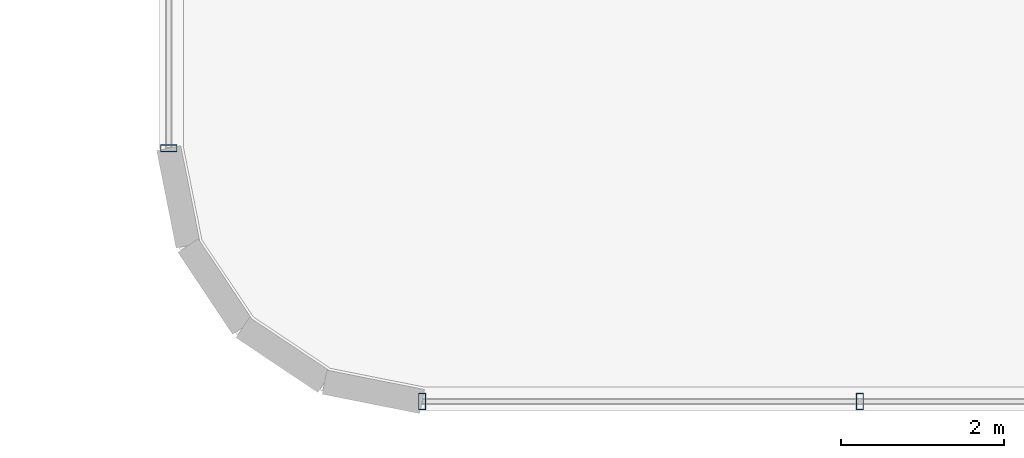
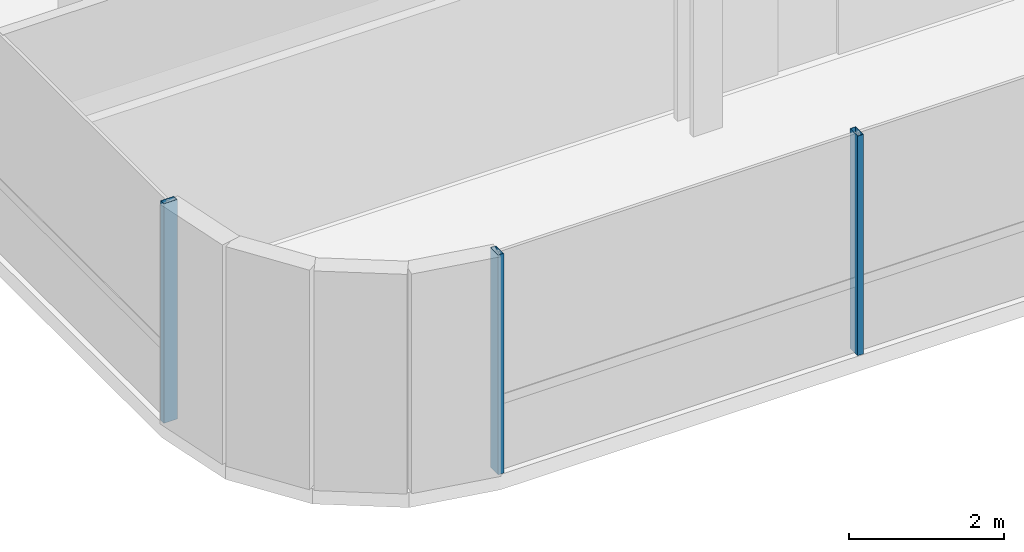
# One storey, part 2 of 40: 3 members, 2 elements without a shape of their own.
"""IFC4 building model written with IfcOpenShell, lengths in metres."""

from ifc_helpers import new_model, si_unit, direction, frame, origin, origin_2d, place, context, subcontext, project, spatial, hollow_rectangle, extrude, source, transform, mapped, material, material_profile, profile_set, type_object, element, aggregate, save


model = new_model("IFC4")

# Units and contexts
model_context = context("Model", 3, precision=1e-05, world=origin(), true_north=direction((0.0, 1.0)))
body_context = subcontext(model_context, "Body", "Model", "MODEL_VIEW")
ifc_project = project(units=[si_unit("LENGTHUNIT", "METRE"), si_unit("AREAUNIT", "SQUARE_METRE"), si_unit("VOLUMEUNIT", "CUBIC_METRE"), si_unit("PLANEANGLEUNIT", "RADIAN"), si_unit("MASSUNIT", "GRAM", prefix="KILO")], contexts=[model_context])

# Site, building, storey
site_placement = place(None, origin())
site = spatial("IfcSite", under=ifc_project, at=site_placement, CompositionType="ELEMENT")
building_placement = place(site_placement, origin())
building = spatial("IfcBuilding", under=site, at=building_placement, Name="Valdorenza Pilgrim Sanctuary Tower", CompositionType="ELEMENT")
storey_placement = place(building_placement, frame((0.0, 0.0, 51.89990234375)))
storey = spatial("IfcBuildingStorey", under=building, at=storey_placement, Name="L12", CompositionType="ELEMENT", Elevation=51.89990234375)

# Curtain wall, member
ifc_material_1 = material(Name="Curtain-wall IGU glazing", Category="glass")
curtain_wall_type = type_object("IfcCurtainWallType", Name="CW-SYS-02", PredefinedType="NOTDEFINED", material=ifc_material_1)
curtain_wall_1_placement = place(storey_placement, origin())
curtain_wall_1 = element("IfcCurtainWall", 1, at=curtain_wall_1_placement, inside=storey, type_object=curtain_wall_type, Name="L12 Curtain Wall CW-L12-1-1S1", PredefinedType="NOTDEFINED")
ifc_material_2 = material(Name="Anodised aluminium AW-6060", Category="aluminium")
ifc_material_profile = material_profile(ifc_material_2, hollow_rectangle(XDim=0.0849609375, YDim=0.199951171875, WallThickness=0.0048828125, at=origin_2d()), Name="ALU-M 200x85x5")
ifc_profile_set = profile_set([ifc_material_profile], Name="Anodised aluminium AW-6060")
member_type = type_object("IfcMemberType", Name="CW-MUL-02", PredefinedType="MULLION", material=ifc_profile_set)
shared_shape = source(origin(), body_context, "Body", "SweptSolid", [
    extrude(hollow_rectangle(XDim=0.0849609375, YDim=0.199951171875, WallThickness=0.0048828125, at=origin_2d()), origin(), (0.0, 0.0, 1.0), 3.460205078125),
])
member_1_placement = place(storey_placement, frame((-31.889892578125, -15.789306640625, 0.0), z_axis=(0.0, 0.0, 1.0), x_axis=(0.0, 1.0, 0.0)))
member_1 = element("IfcMember", 2, at=member_1_placement, type_object=member_type, Name="CW-L12-1-1S1 Mullion 1", PredefinedType="MULLION", context=body_context, shape_type="MappedRepresentation", body=[
    mapped(shared_shape, transform((0.0, 0.0, 0.0), x_axis=(1.0, 0.0, 0.0), y_axis=(0.0, 1.0, 0.0), z_axis=(0.0, 0.0, 1.0), scale=1.0)),
])
aggregate(curtain_wall_1, [member_1])

# Curtain wall, members
curtain_wall_2_placement = place(storey_placement, origin())
curtain_wall_2 = element("IfcCurtainWall", 3, at=curtain_wall_2_placement, inside=storey, type_object=curtain_wall_type, Name="L12 Curtain Wall CW-L12-1-46", PredefinedType="NOTDEFINED")
member_2_placement = place(storey_placement, frame((-23.4296875, -18.889892578125, 0.0), z_axis=(0.0, 0.0, 1.0), x_axis=(-1.0, 0.0, 0.0)))
member_2 = element("IfcMember", 4, at=member_2_placement, type_object=member_type, Name="CW-L12-1-46 Mullion 3", PredefinedType="MULLION", context=body_context, shape_type="MappedRepresentation", body=[
    mapped(shared_shape, transform((0.0, 0.0, 0.0), x_axis=(1.0, 0.0, 0.0), y_axis=(0.0, 1.0, 0.0), z_axis=(0.0, 0.0, 1.0), scale=1.0)),
])
member_3_placement = place(storey_placement, frame((-28.789306640625, -18.889892578125, 0.0), z_axis=(0.0, 0.0, 1.0), x_axis=(-1.0, 0.0, 0.0)))
member_3 = element("IfcMember", 5, at=member_3_placement, type_object=member_type, Name="CW-L12-1-46 Mullion 4", PredefinedType="MULLION", context=body_context, shape_type="MappedRepresentation", body=[
    mapped(shared_shape, transform((0.0, 0.0, 0.0), x_axis=(1.0, 0.0, 0.0), y_axis=(0.0, 1.0, 0.0), z_axis=(0.0, 0.0, 1.0), scale=1.0)),
])
aggregate(curtain_wall_2, [member_2, member_3])

save(model, "model.ifc")
